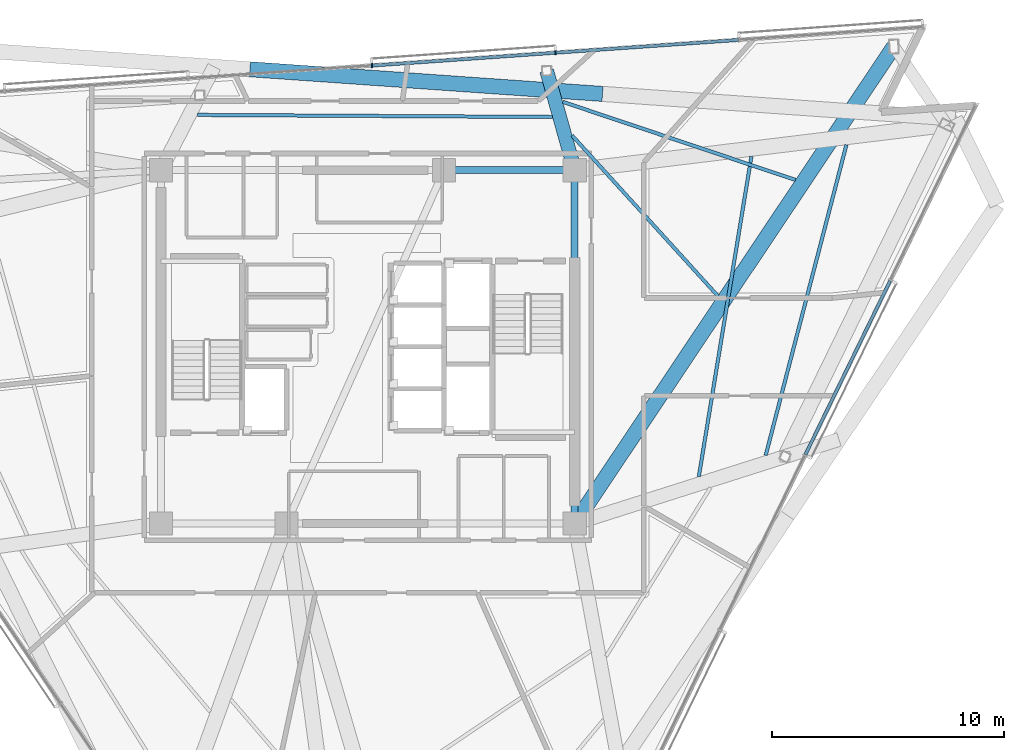
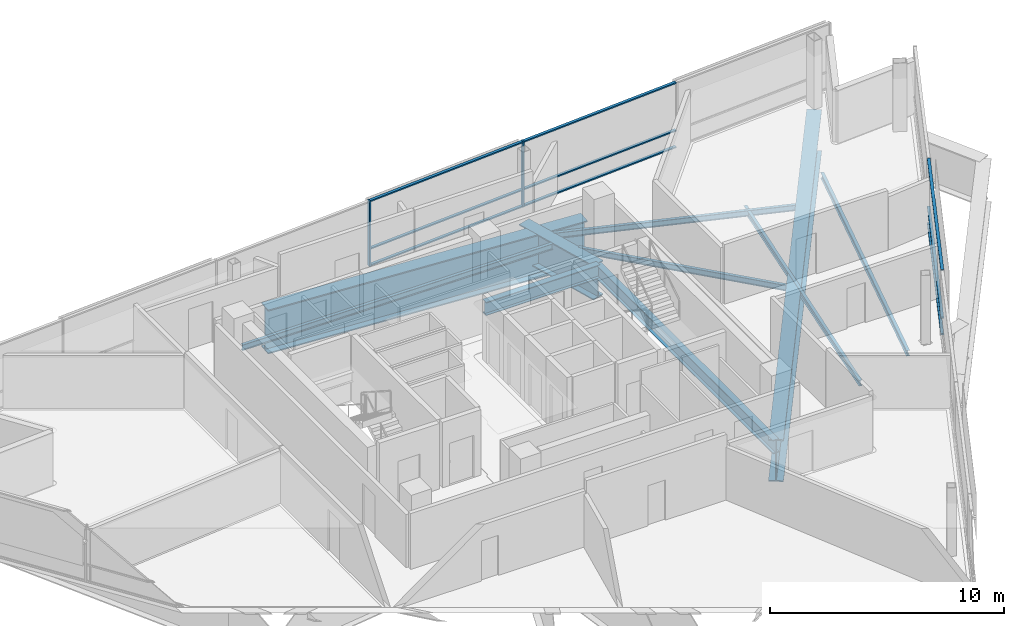
# One storey, part 7 of 17: 11 members, 10 beams, 2 elements without a shape of their own.
"""IFC4 building model written with IfcOpenShell, lengths in metres."""

import ifcopenshell
import ifcopenshell.guid

model = None  # the IFC model being written
_history = None  # IfcOwnerHistory: only IFC2X3 demands one
_inside = {}  # id of a spatial element -> (the spatial element, [elements in it])
_under = {}  # id of a project, library or spatial element -> (it, [spatial elements below it])
_declared = {}  # id of a project -> (the project, [libraries it declares])
_typed = {}  # id of a type object -> (the type object, [elements of that type])
_made_of = {}  # id of a material, layer set ... -> (it, [elements and type objects made of it])


def new_model(schema):
    """Start an empty IFC model of exactly this schema.

    Asked for "IFC4X3", IfcOpenShell would pick the latest addendum, in which some entities
    have other attributes; the version numbers below select the first issue.
    IFC2X3 requires an IfcOwnerHistory on every rooted entity: one is made here for all.
    """
    global model, _history
    if schema == "IFC4X3":
        model = ifcopenshell.file(schema_version=(4, 3, 0, 0))
    else:
        model = ifcopenshell.file(schema=schema)
    _inside.clear()
    _under.clear()
    _declared.clear()
    _typed.clear()
    _made_of.clear()
    _history = None
    if model.schema == "IFC2X3":
        org = make("IfcOrganization", Name="unknown")
        user = make(
            "IfcPersonAndOrganization",
            ThePerson=make("IfcPerson", FamilyName="unknown"),
            TheOrganization=org,
        )
        app = make(
            "IfcApplication",
            ApplicationDeveloper=org,
            Version="unknown",
            ApplicationFullName="unknown",
            ApplicationIdentifier="unknown",
        )
        _history = make(
            "IfcOwnerHistory",
            OwningUser=user,
            OwningApplication=app,
            ChangeAction="ADDED",
            CreationDate=0,
        )
    return model


def make(cls, **values):
    """One entity of the class cls with the attributes given. An attribute that is None is left unset."""
    return model.create_entity(
        cls, **{name: value for name, value in values.items() if value is not None}
    )


def rooted(cls, **values):
    """An entity with a GlobalId (a new one), such as an element, a storey or a relation."""
    return make(cls, GlobalId=ifcopenshell.guid.new(), OwnerHistory=_history, **values)


def si_unit(unit_type, name, prefix=None):
    """IfcSIUnit, for example si_unit("LENGTHUNIT", "METRE", prefix="MILLI")."""
    return make("IfcSIUnit", UnitType=unit_type, Prefix=prefix, Name=name)


def assignment(units):
    """IfcUnitAssignment: the units of a project."""
    return None if units is None else make("IfcUnitAssignment", Units=units)


def point(xyz):
    """IfcCartesianPoint."""
    return None if xyz is None else make("IfcCartesianPoint", Coordinates=xyz)


def direction(xyz):
    """IfcDirection."""
    return None if xyz is None else make("IfcDirection", DirectionRatios=xyz)


def frame(location, z_axis=None, x_axis=None):
    """IfcAxis2Placement3D, a coordinate frame: its origin and axes. An axis left out is left unset."""
    return make(
        "IfcAxis2Placement3D",
        Location=point(location),
        Axis=direction(z_axis),
        RefDirection=direction(x_axis),
    )


def frame_2d(location, x_axis=None):
    """IfcAxis2Placement2D, a coordinate frame in the plane: its origin and x axis."""
    return make(
        "IfcAxis2Placement2D", Location=point(location), RefDirection=direction(x_axis)
    )


def origin():
    """The frame at (0, 0, 0) with its axes left unset."""
    return frame((0.0, 0.0, 0.0))


def origin_2d():
    """The frame at (0, 0) in the plane with its x axis left unset."""
    return frame_2d((0.0, 0.0))


def place(relative_to, where):
    """IfcLocalPlacement: puts the frame where relative to a parent placement (None: the world)."""
    return make(
        "IfcLocalPlacement", PlacementRelTo=relative_to, RelativePlacement=where
    )


def context(
    kind, dimensions, precision=None, world=None, true_north=None, identifier=None
):
    """IfcGeometricRepresentationContext, for example the 3D "Model" context."""
    return make(
        "IfcGeometricRepresentationContext",
        ContextIdentifier=identifier,
        ContextType=kind,
        CoordinateSpaceDimension=dimensions,
        Precision=precision,
        WorldCoordinateSystem=world,
        TrueNorth=true_north,
    )


def subcontext(parent, identifier, kind, view, scale=None):
    """IfcGeometricRepresentationSubContext, for example "Body" below "Model"."""
    return make(
        "IfcGeometricRepresentationSubContext",
        ContextIdentifier=identifier,
        ContextType=kind,
        ParentContext=parent,
        TargetScale=scale,
        TargetView=view,
    )


def project(units=None, contexts=None):
    """IfcProject with its units and contexts."""
    return rooted(
        "IfcProject",
        Name="project",
        RepresentationContexts=contexts,
        UnitsInContext=assignment(units),
    )


def spatial(cls, under=None, at=None, **own):
    """A site, building, storey or space (cls), placed at a placement, below another one or the project."""
    s = rooted(cls, ObjectPlacement=at, **own)
    if under is not None:
        _under.setdefault(under.id(), (under, []))[1].append(s)
    return s


def profile(cls, at=None, kind="AREA", **sizes):
    """A parametric profile (cls). Its sizes go by their IFC names, for example OverallWidth=200.0."""
    return make(cls, ProfileType=kind, Position=at, **sizes)


def rectangle(**sizes):
    """IfcRectangleProfileDef."""
    return profile("IfcRectangleProfileDef", **sizes)


def i_section(**sizes):
    """IfcIShapeProfileDef."""
    return profile("IfcIShapeProfileDef", **sizes)


def extrude(swept, where, along, depth):
    """IfcExtrudedAreaSolid: the profile swept, set in the frame where, extruded along a direction by depth."""
    return make(
        "IfcExtrudedAreaSolid",
        SweptArea=swept,
        Position=where,
        ExtrudedDirection=direction(along),
        Depth=depth,
    )


def shape(context_of_items, identifier, shape_type, items):
    """IfcShapeRepresentation: the items that make up one representation, for example the "Body"."""
    return make(
        "IfcShapeRepresentation",
        ContextOfItems=context_of_items,
        RepresentationIdentifier=identifier,
        RepresentationType=shape_type,
        Items=items,
    )


def material(Name=None, Category=None):
    """IfcMaterial."""
    return make("IfcMaterial", Name=Name, Category=Category)


def layer(
    of_material, thickness, ventilated=None, Name=None, Category=None, Priority=None
):
    """IfcMaterialLayer: one layer of a wall or slab, of a material (None: an air gap)."""
    return make(
        "IfcMaterialLayer",
        Material=of_material,
        LayerThickness=thickness,
        IsVentilated=ventilated,
        Name=Name,
        Category=Category,
        Priority=Priority,
    )


def layer_set(layers, Name=None):
    """IfcMaterialLayerSet."""
    return make("IfcMaterialLayerSet", MaterialLayers=layers, LayerSetName=Name)


def material_profile(
    of_material, cross_section, Name=None, Category=None, Priority=None
):
    """IfcMaterialProfile: a cross section and its material."""
    return make(
        "IfcMaterialProfile",
        Name=Name,
        Material=of_material,
        Profile=cross_section,
        Priority=Priority,
        Category=Category,
    )


def profile_set(profiles, Name=None, composite=None):
    """IfcMaterialProfileSet."""
    return make(
        "IfcMaterialProfileSet",
        Name=Name,
        MaterialProfiles=profiles,
        CompositeProfile=composite,
    )


def made_of(thing, what):
    """Note that an element or type object is made of a material, layer set ...; save() writes the relation."""
    if what is not None:
        _made_of.setdefault(what.id(), (what, []))[1].append(thing)
    return thing


def type_object(cls, material=None, **own):
    """A type object (cls), such as IfcWallType, which elements share."""
    return made_of(rooted(cls, **own), material)


def element(
    cls,
    number,
    at=None,
    inside=None,
    cuts=None,
    type_object=None,
    material=None,
    context=None,
    identifier="Body",
    shape_type=None,
    held_by="IfcProductDefinitionShape",
    body=None,
    shapes=None,
    **own,
):
    """One element of the class cls, such as IfcWall. Its Tag is "e" and its number.

    at: its placement. inside: the storey or other place that contains it. cuts: it is an
    opening in that element (IfcRelVoidsElement). A single representation is given by context,
    identifier, shape_type and body (its items); several are given by shapes. held_by: the class
    of the entity that holds the representations. save() writes the other relations.
    """
    e = rooted(cls, Tag="e%d" % number, ObjectPlacement=at, **own)
    if body is not None:
        shapes = [shape(context, identifier, shape_type, body)]
    if shapes is not None:
        e.Representation = make(held_by, Representations=shapes)
    if inside is not None:
        _inside.setdefault(inside.id(), (inside, []))[1].append(e)
    if cuts is not None:
        rooted(
            "IfcRelVoidsElement", RelatingBuildingElement=cuts, RelatedOpeningElement=e
        )
    if type_object is not None:
        _typed.setdefault(type_object.id(), (type_object, []))[1].append(e)
    return made_of(e, material)


def aggregate(whole, parts):
    """IfcRelAggregates: a whole, such as a stair, and the parts it consists of."""
    return rooted("IfcRelAggregates", RelatingObject=whole, RelatedObjects=parts)


def save(model, path):
    """Write the relations noted so far, then the file.

    IfcRelAggregates (storeys below a building ...), IfcRelContainedInSpatialStructure (elements
    in a storey), IfcRelDefinesByType, IfcRelAssociatesMaterial and IfcRelDeclares: one each for
    every whole, place, type object, material and project.
    """
    for whole, parts in _under.values():
        aggregate(whole, parts)
    for where, things in _inside.values():
        rooted(
            "IfcRelContainedInSpatialStructure",
            RelatedElements=things,
            RelatingStructure=where,
        )
    for kind, things in _typed.values():
        rooted("IfcRelDefinesByType", RelatedObjects=things, RelatingType=kind)
    for what, things in _made_of.values():
        rooted("IfcRelAssociatesMaterial", RelatedObjects=things, RelatingMaterial=what)
    for by, libraries in _declared.values():
        rooted("IfcRelDeclares", RelatingContext=by, RelatedDefinitions=libraries)
    model.write(path)


model = new_model("IFC4")

# Units and contexts
model_context = context("Model", 3, precision=1e-05, world=origin(), true_north=direction((0.0, 1.0)))
body_context = subcontext(model_context, "Body", "Model", "MODEL_VIEW")
ifc_project = project(units=[si_unit("LENGTHUNIT", "METRE"), si_unit("AREAUNIT", "SQUARE_METRE"), si_unit("VOLUMEUNIT", "CUBIC_METRE"), si_unit("PLANEANGLEUNIT", "RADIAN"), si_unit("MASSUNIT", "GRAM", prefix="KILO")], contexts=[model_context])

# Site, building, storey
site_placement = place(None, origin())
site = spatial("IfcSite", under=ifc_project, at=site_placement, CompositionType="ELEMENT")
building_placement = place(site_placement, origin())
building = spatial("IfcBuilding", under=site, at=building_placement, Name="Tharavind Bronze Gate", CompositionType="ELEMENT")
storey_placement = place(building_placement, frame((0.0, 0.0, 253.39990234375)))
storey = spatial("IfcBuildingStorey", under=building, at=storey_placement, Name="L65", CompositionType="ELEMENT", Elevation=253.39990234375)

# Curtain wall, members
ifc_material_1 = material(Name="Anodised Bronze Aluminium", Category="aluminium")
ifc_layer = layer(ifc_material_1, 0.219970703125)
ifc_layer_set = layer_set([ifc_layer], Name="Anodised Bronze Aluminium")
curtain_wall_type = type_object("IfcCurtainWallType", Name="UNITISED CURTAIN WALL UPPER OFFICE", PredefinedType="USERDEFINED", material=ifc_layer_set)
curtain_wall_1_placement = place(storey_placement, origin())
curtain_wall_1 = element("IfcCurtainWall", 1, at=curtain_wall_1_placement, inside=storey, type_object=curtain_wall_type, Name="L65 unitised curtain wall upper office CW-L65-S3", ObjectType="UNITISED CURTAIN WALL", PredefinedType="USERDEFINED")
member_type_1 = type_object("IfcMemberType", Name="CURTAIN WALL BRONZE MULLION 65X180", PredefinedType="MULLION", material=ifc_material_1)
member_1_placement = place(storey_placement, frame((8.078369140625, 12.656005859375, 0.000244140625), z_axis=(0.0, 0.0, 1.0), x_axis=(-0.997563806758, -0.069759955899, 0.0)))
member_1 = element("IfcMember", 2, at=member_1_placement, type_object=member_type_1, Name="CW-L65-S3 mullion 3", PredefinedType="MULLION", context=body_context, shape_type="SweptSolid", body=[
    extrude(rectangle(XDim=0.06494140625, YDim=0.179931640625, at=origin_2d()), origin(), (0.0, 0.0, 1.0), 3.419921875),
])
member_2_placement = place(storey_placement, frame((0.177490234375, 12.103515625, 0.000244140625), z_axis=(0.0, 0.0, 1.0), x_axis=(-0.997563806758, -0.069759955899, 0.0)))
member_2 = element("IfcMember", 3, at=member_2_placement, type_object=member_type_1, Name="CW-L65-S3 mullion 4", PredefinedType="MULLION", context=body_context, shape_type="SweptSolid", body=[
    extrude(rectangle(XDim=0.06494140625, YDim=0.179931640625, at=origin_2d()), origin(), (0.0, 0.0, 1.0), 3.419921875),
])

curtain_wall_2_placement = place(storey_placement, origin())
curtain_wall_2 = element("IfcCurtainWall", 4, at=curtain_wall_2_placement, inside=storey, type_object=curtain_wall_type, Name="L65 unitised curtain wall upper office CW-L65-S2", ObjectType="UNITISED CURTAIN WALL", PredefinedType="USERDEFINED")
member_type_2 = type_object("IfcMemberType", Name="CURTAIN WALL BRONZE TRANSOM 65X140", PredefinedType="USERDEFINED", material=ifc_material_1)
member_3_placement = place(storey_placement, frame((20.64990234375, -0.89892578125, 0.000244140625), z_axis=(0.0, 0.0, 1.0), x_axis=(0.43837271548, 0.898793281196, 0.0)))
member_3 = element("IfcMember", 5, at=member_3_placement, type_object=member_type_2, Name="CW-L65-S2 transom TB5", ObjectType="TRANSOM", PredefinedType="USERDEFINED", context=body_context, shape_type="SweptSolid", body=[
    extrude(rectangle(XDim=8.3193359375, YDim=0.139892578125, at=origin_2d()), origin(), (0.0, 0.0, 1.0), 0.06494140625),
])
member_4_placement = place(storey_placement, frame((20.64990234375, -0.89892578125, 0.86767578125), z_axis=(0.0, 0.0, 1.0), x_axis=(0.43837271548, 0.898793281196, 0.0)))
member_4 = element("IfcMember", 6, at=member_4_placement, type_object=member_type_2, Name="CW-L65-S2 transom TS5", ObjectType="TRANSOM", PredefinedType="USERDEFINED", context=body_context, shape_type="SweptSolid", body=[
    extrude(rectangle(XDim=8.3193359375, YDim=0.139892578125, at=origin_2d()), origin(), (0.0, 0.0, 1.0), 0.06494140625),
])
member_5_placement = place(storey_placement, frame((20.64990234375, -0.89892578125, 3.355224609375), z_axis=(0.0, 0.0, 1.0), x_axis=(0.43837271548, 0.898793281196, 0.0)))
member_5 = element("IfcMember", 7, at=member_5_placement, type_object=member_type_2, Name="CW-L65-S2 transom TT5", ObjectType="TRANSOM", PredefinedType="USERDEFINED", context=body_context, shape_type="SweptSolid", body=[
    extrude(rectangle(XDim=8.3193359375, YDim=0.139892578125, at=origin_2d()), origin(), (0.0, 0.0, 1.0), 0.06494140625),
])
aggregate(curtain_wall_2, [member_3, member_4, member_5])

# Member
member_6_placement = place(storey_placement, frame((12.02880859375, 12.932373046875, 0.000244140625), z_axis=(0.0, 0.0, 1.0), x_axis=(-0.997563806758, -0.069759955899, 0.0)))
member_6 = element("IfcMember", 8, at=member_6_placement, type_object=member_type_2, Name="CW-L65-S3 transom TB2", ObjectType="TRANSOM", PredefinedType="USERDEFINED", context=body_context, shape_type="SweptSolid", body=[
    extrude(rectangle(XDim=7.8671875, YDim=0.139892578125, at=origin_2d()), origin(), (0.0, 0.0, 1.0), 0.06494140625),
])

member_7_placement = place(storey_placement, frame((12.02880859375, 12.932373046875, 0.86767578125), z_axis=(0.0, 0.0, 1.0), x_axis=(-0.997563806758, -0.069759955899, 0.0)))
member_7 = element("IfcMember", 9, at=member_7_placement, type_object=member_type_2, Name="CW-L65-S3 transom TS2", ObjectType="TRANSOM", PredefinedType="USERDEFINED", context=body_context, shape_type="SweptSolid", body=[
    extrude(rectangle(XDim=7.8671875, YDim=0.139892578125, at=origin_2d()), origin(), (0.0, 0.0, 1.0), 0.06494140625),
])

member_8_placement = place(storey_placement, frame((12.02880859375, 12.932373046875, 3.355224609375), z_axis=(0.0, 0.0, 1.0), x_axis=(-0.997563806758, -0.069759955899, 0.0)))
member_8 = element("IfcMember", 10, at=member_8_placement, type_object=member_type_2, Name="CW-L65-S3 transom TT2", ObjectType="TRANSOM", PredefinedType="USERDEFINED", context=body_context, shape_type="SweptSolid", body=[
    extrude(rectangle(XDim=7.8671875, YDim=0.139892578125, at=origin_2d()), origin(), (0.0, 0.0, 1.0), 0.06494140625),
])

member_9_placement = place(storey_placement, frame((4.1279296875, 12.3798828125, 0.000244140625), z_axis=(0.0, 0.0, 1.0), x_axis=(-0.997563806758, -0.069759955899, 0.0)))
member_9 = element("IfcMember", 11, at=member_9_placement, type_object=member_type_2, Name="CW-L65-S3 transom TB3", ObjectType="TRANSOM", PredefinedType="USERDEFINED", context=body_context, shape_type="SweptSolid", body=[
    extrude(rectangle(XDim=7.8671875, YDim=0.139892578125, at=origin_2d()), origin(), (0.0, 0.0, 1.0), 0.06494140625),
])

member_10_placement = place(storey_placement, frame((4.1279296875, 12.3798828125, 0.86767578125), z_axis=(0.0, 0.0, 1.0), x_axis=(-0.997563806758, -0.069759955899, 0.0)))
member_10 = element("IfcMember", 12, at=member_10_placement, type_object=member_type_2, Name="CW-L65-S3 transom TS3", ObjectType="TRANSOM", PredefinedType="USERDEFINED", context=body_context, shape_type="SweptSolid", body=[
    extrude(rectangle(XDim=7.8671875, YDim=0.139892578125, at=origin_2d()), origin(), (0.0, 0.0, 1.0), 0.06494140625),
])

member_11_placement = place(storey_placement, frame((4.1279296875, 12.3798828125, 3.355224609375), z_axis=(0.0, 0.0, 1.0), x_axis=(-0.997563806758, -0.069759955899, 0.0)))
member_11 = element("IfcMember", 13, at=member_11_placement, type_object=member_type_2, Name="CW-L65-S3 transom TT3", ObjectType="TRANSOM", PredefinedType="USERDEFINED", context=body_context, shape_type="SweptSolid", body=[
    extrude(rectangle(XDim=7.8671875, YDim=0.139892578125, at=origin_2d()), origin(), (0.0, 0.0, 1.0), 0.06494140625),
])

aggregate(curtain_wall_1, [member_1, member_2, member_6, member_7, member_8, member_9, member_10, member_11])

# Beams
ifc_material_2 = material(Name="Steel S355", Category="steel")
ifc_material_profile_1 = material_profile(ifc_material_2, i_section(OverallWidth=0.300048828125, OverallDepth=0.699951171875, WebThickness=0.01708984375, FlangeThickness=0.031982421875, at=origin_2d()), Name="HE700B")
ifc_profile_set_1 = profile_set([ifc_material_profile_1], Name="Steel S355")
beam_type_1 = type_object("IfcBeamType", Name="RING GIRDER HE700B", PredefinedType="USERDEFINED", material=ifc_profile_set_1)
beam_1_placement = place(storey_placement, frame((8.89990234375, -7.60009765625, -0.539794921875), z_axis=(0.0, 1.0, 0.0), x_axis=(-1.0, 0.0, 0.0)))
element("IfcBeam", 14, at=beam_1_placement, inside=storey, type_object=beam_type_1, Name="L65 ring girder he700b BM-L65-CR3", ObjectType="GIRDER", PredefinedType="USERDEFINED", context=body_context, shape_type="SweptSolid", body=[
    extrude(i_section(OverallWidth=0.300048828125, OverallDepth=0.699951171875, WebThickness=0.01708984375, FlangeThickness=0.031982421875, at=origin_2d()), origin(), (0.0, 0.0, 1.0), 15.2001953125),
])
beam_2_placement = place(storey_placement, frame((8.89990234375, 7.60009765625, -0.539794921875), z_axis=(-1.0, 0.0, 0.0), x_axis=(0.0, -1.0, 0.0)))
element("IfcBeam", 15, at=beam_2_placement, inside=storey, type_object=beam_type_1, Name="L65 ring girder he700b BM-L65-CR4", ObjectType="GIRDER", PredefinedType="USERDEFINED", context=body_context, shape_type="SweptSolid", body=[
    extrude(i_section(OverallWidth=0.300048828125, OverallDepth=0.699951171875, WebThickness=0.01708984375, FlangeThickness=0.031982421875, at=origin_2d()), origin(), (0.0, 0.0, 1.0), 5.619873046875),
])
ifc_material_profile_2 = material_profile(ifc_material_2, i_section(OverallWidth=0.14990234375, OverallDepth=0.300048828125, WebThickness=0.007080078125, FlangeThickness=0.0107421875, at=origin_2d()), Name="IPE300")
ifc_profile_set_2 = profile_set([ifc_material_profile_2], Name="Steel S355")
beam_type_2 = type_object("IfcBeamType", Name="SECONDARY FLOOR JOIST IPE300", PredefinedType="JOIST", material=ifc_profile_set_2)
beam_3_placement = place(storey_placement, frame((14.243408203125, -5.582275390625, -0.33984375), z_axis=(0.16211307338, 0.986772188217, 0.0), x_axis=(-0.986772188217, 0.16211307338, 0.0)))
element("IfcBeam", 16, at=beam_3_placement, inside=storey, type_object=beam_type_2, Name="L65 secondary floor joist ipe300 BM-L65-JSTA07", PredefinedType="JOIST", context=body_context, shape_type="SweptSolid", body=[
    extrude(i_section(OverallWidth=0.14990234375, OverallDepth=0.300048828125, WebThickness=0.007080078125, FlangeThickness=0.0107421875, at=origin_2d()), origin(), (0.0, 0.0, 1.0), 13.9619140625),
])
beam_4_placement = place(storey_placement, frame((17.121337890625, -4.667236328125, -0.33984375), z_axis=(0.251505953436, 0.967855751332, 0.0), x_axis=(-0.967855751332, 0.251505953436, 0.0)))
element("IfcBeam", 17, at=beam_4_placement, inside=storey, type_object=beam_type_2, Name="L65 secondary floor joist ipe300 BM-L65-JSTB07", PredefinedType="JOIST", context=body_context, shape_type="SweptSolid", body=[
    extrude(i_section(OverallWidth=0.14990234375, OverallDepth=0.300048828125, WebThickness=0.007080078125, FlangeThickness=0.0107421875, at=origin_2d()), origin(), (0.0, 0.0, 1.0), 13.803466796875),
])
beam_5_placement = place(storey_placement, frame((15.059814453125, 2.193603515625, -0.33984375), z_axis=(-0.672411891203, 0.740177173769, 0.0), x_axis=(-0.740177173769, -0.672411891203, 0.0)))
element("IfcBeam", 18, at=beam_5_placement, inside=storey, type_object=beam_type_2, Name="L65 secondary floor joist ipe300 BM-L65-JSTA09", PredefinedType="JOIST", context=body_context, shape_type="SweptSolid", body=[
    extrude(i_section(OverallWidth=0.14990234375, OverallDepth=0.300048828125, WebThickness=0.007080078125, FlangeThickness=0.0107421875, at=origin_2d()), origin(), (0.0, 0.0, 1.0), 9.316650390625),
])
beam_6_placement = place(storey_placement, frame((18.398681640625, 7.181884765625, -0.33984375), z_axis=(-0.948019921956, 0.318210979658, 0.0), x_axis=(-0.318210979658, -0.948019921956, 0.0)))
element("IfcBeam", 19, at=beam_6_placement, inside=storey, type_object=beam_type_2, Name="L65 secondary floor joist ipe300 BM-L65-JSTB09", PredefinedType="JOIST", context=body_context, shape_type="SweptSolid", body=[
    extrude(i_section(OverallWidth=0.14990234375, OverallDepth=0.300048828125, WebThickness=0.007080078125, FlangeThickness=0.0107421875, at=origin_2d()), origin(), (0.0, 0.0, 1.0), 10.55859375),
])
beam_7_placement = place(storey_placement, frame((7.941162109375, 9.890380859375, -0.33984375), z_axis=(-0.999982802103, 0.005864767457, 0.0), x_axis=(-0.005864767457, -0.999982802103, 0.0)))
element("IfcBeam", 20, at=beam_7_placement, inside=storey, type_object=beam_type_2, Name="L65 secondary floor joist ipe300 BM-L65-JSTA10", PredefinedType="JOIST", context=body_context, shape_type="SweptSolid", body=[
    extrude(i_section(OverallWidth=0.14990234375, OverallDepth=0.300048828125, WebThickness=0.007080078125, FlangeThickness=0.0107421875, at=origin_2d()), origin(), (0.0, 0.0, 1.0), 15.277587890625),
])
ifc_material_3 = material(Name="Steel S460", Category="steel")
ifc_material_profile_3 = material_profile(ifc_material_3, i_section(OverallWidth=0.60009765625, OverallDepth=1.800048828125, WebThickness=0.031982421875, FlangeThickness=0.054931640625, at=origin_2d()), Name="PG1800X600")
ifc_profile_set_3 = profile_set([ifc_material_profile_3], Name="Steel S460")
beam_type_3 = type_object("IfcBeamType", Name="TRANSFER GIRDER 1800X600", PredefinedType="USERDEFINED", material=ifc_profile_set_3)
beam_8_placement = place(storey_placement, frame((8.89990234375, 7.60009765625, -1.08984375), z_axis=(-0.270349324095, 0.962762298265, 0.0), x_axis=(-0.962762298265, -0.270349324095, 0.0)))
element("IfcBeam", 21, at=beam_8_placement, inside=storey, type_object=beam_type_3, Name="L65 transfer girder 1800x600 BM-L65-XFR10", ObjectType="TRANSFER GIRDER", PredefinedType="USERDEFINED", context=body_context, shape_type="SweptSolid", body=[
    extrude(i_section(OverallWidth=0.60009765625, OverallDepth=1.800048828125, WebThickness=0.031982421875, FlangeThickness=0.054931640625, at=origin_2d()), origin(), (0.0, 0.0, 1.0), 4.443115234375),
])
ifc_material_profile_4 = material_profile(ifc_material_3, i_section(OverallWidth=0.64990234375, OverallDepth=2.199951171875, WebThickness=0.035888671875, FlangeThickness=0.054931640625, at=origin_2d()), Name="PG2200X650")
ifc_profile_set_4 = profile_set([ifc_material_profile_4], Name="Steel S460")
beam_type_4 = type_object("IfcBeamType", Name="TRANSFER GIRDER 2200X650", PredefinedType="USERDEFINED", material=ifc_profile_set_4)
beam_9_placement = place(storey_placement, frame((8.89990234375, -7.60009765625, -1.289794921875), z_axis=(0.556252844581, 0.831013100315, 0.0), x_axis=(-0.831013100315, 0.556252844581, 0.0)))
element("IfcBeam", 22, at=beam_9_placement, inside=storey, type_object=beam_type_4, Name="L65 transfer girder 2200x650 BM-L65-XFR09", ObjectType="TRANSFER GIRDER", PredefinedType="USERDEFINED", context=body_context, shape_type="SweptSolid", body=[
    extrude(i_section(OverallWidth=0.64990234375, OverallDepth=2.199951171875, WebThickness=0.035888671875, FlangeThickness=0.054931640625, at=origin_2d()), origin(), (0.0, 0.0, 1.0), 24.69580078125),
])
ifc_material_profile_5 = material_profile(ifc_material_3, i_section(OverallWidth=0.64990234375, OverallDepth=2.300048828125, WebThickness=0.035888671875, FlangeThickness=0.05810546875, at=origin_2d()), Name="PG2300X650")
ifc_profile_set_5 = profile_set([ifc_material_profile_5], Name="Steel S460")
beam_type_5 = type_object("IfcBeamType", Name="TRANSFER GIRDER 2300X650", PredefinedType="USERDEFINED", material=ifc_profile_set_5)
beam_10_placement = place(storey_placement, frame((10.099609375, 10.8837890625, -1.33984375), z_axis=(-0.997564956602, 0.069743511238, 0.0), x_axis=(-0.069743511238, -0.997564956602, 0.0)))
element("IfcBeam", 23, at=beam_10_placement, inside=storey, type_object=beam_type_5, Name="L65 transfer girder 2300x650 BM-L65-LRG10", ObjectType="TRANSFER GIRDER", PredefinedType="USERDEFINED", context=body_context, shape_type="SweptSolid", body=[
    extrude(i_section(OverallWidth=0.64990234375, OverallDepth=2.300048828125, WebThickness=0.035888671875, FlangeThickness=0.05810546875, at=origin_2d()), origin(), (0.0, 0.0, 1.0), 15.2099609375),
])

save(model, "model.ifc")
